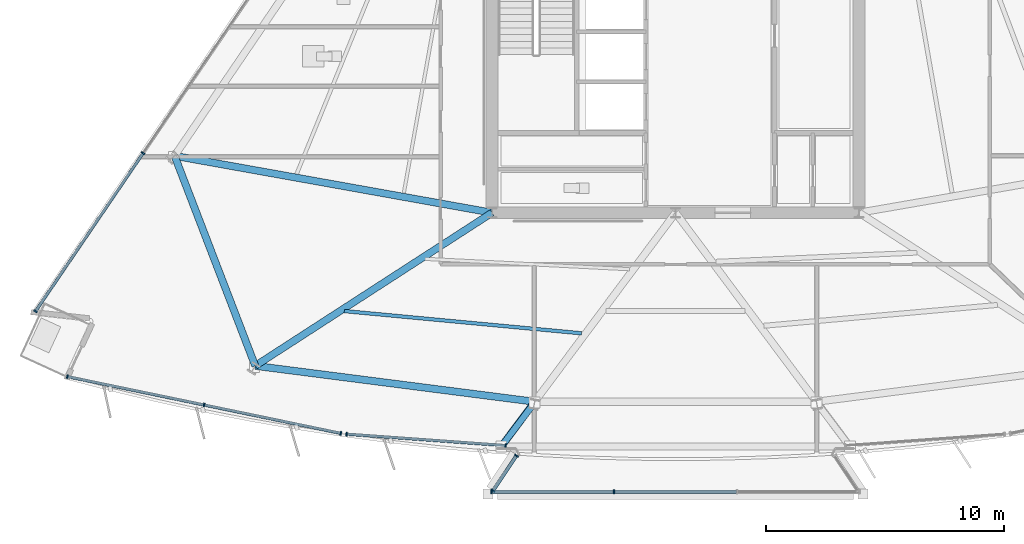
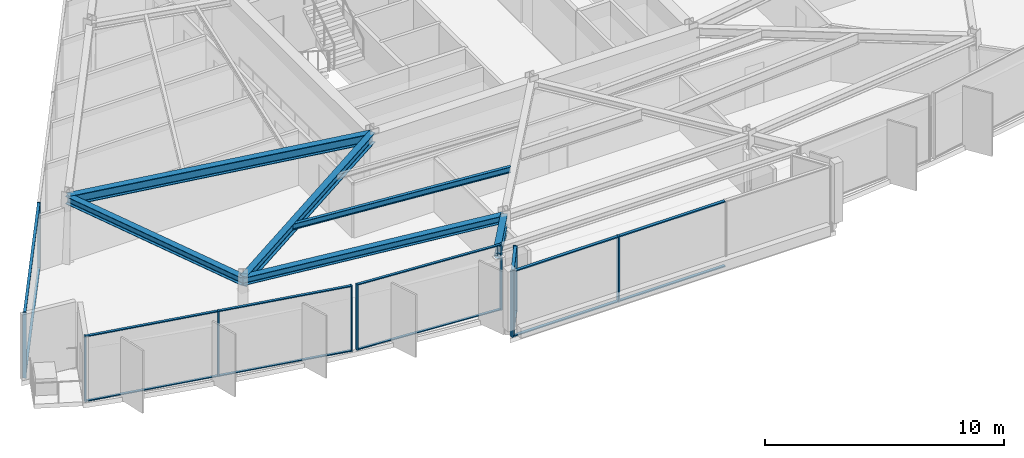
# One storey, part 2 of 16: 26 members, 6 beams, 5 elements without a shape of their own.
"""IFC4 building model written with IfcOpenShell, lengths in metres."""

from ifc_helpers import new_model, si_unit, direction, frame, origin, origin_2d, place, context, subcontext, project, spatial, rectangle, hollow_circle, i_section, extrude, material, material_profile, profile_set, type_object, element, aggregate, save


model = new_model("IFC4")

# Units and contexts
model_context = context("Model", 3, precision=1e-05, world=origin(), true_north=direction((0.0, 1.0)))
body_context = subcontext(model_context, "Body", "Model", "MODEL_VIEW")
ifc_project = project(units=[si_unit("LENGTHUNIT", "METRE"), si_unit("AREAUNIT", "SQUARE_METRE"), si_unit("VOLUMEUNIT", "CUBIC_METRE"), si_unit("PLANEANGLEUNIT", "RADIAN"), si_unit("MASSUNIT", "GRAM", prefix="KILO")], contexts=[model_context])

# Site, building, storey
site_placement = place(None, origin())
site = spatial("IfcSite", under=ifc_project, at=site_placement, CompositionType="ELEMENT")
building_placement = place(site_placement, origin())
building = spatial("IfcBuilding", under=site, at=building_placement, Name="Savorim Split Tower", CompositionType="ELEMENT")
storey_placement = place(building_placement, frame((0.0, 0.0, 160.199951171875)))
storey = spatial("IfcBuildingStorey", under=building, at=storey_placement, Name="L42", CompositionType="ELEMENT", Elevation=160.199951171875)

# Beams
ifc_material_1 = material(Name="Steel S355", Category="steel")
ifc_material_profile_1 = material_profile(ifc_material_1, i_section(OverallWidth=0.14990234375, OverallDepth=0.300048828125, WebThickness=0.007080078125, FlangeThickness=0.0107421875, FilletRadius=0.014892578125, at=origin_2d()), Name="IPE 300")
ifc_profile_set_1 = profile_set([ifc_material_profile_1], Name="Steel S355")
beam_type_1 = type_object("IfcBeamType", Name="BM-JST-IPE300", PredefinedType="JOIST", material=ifc_profile_set_1)
beam_1_placement = place(storey_placement, frame((-13.900146484375, -13.527587890625, 3.199951171875), z_axis=(0.995631460831, -0.093370199762, 0.0), x_axis=(0.093370199762, 0.995631460831, 0.0)))
element("IfcBeam", 1, at=beam_1_placement, inside=storey, type_object=beam_type_1, Name="L42 Secondary Floor Joist JS-01", PredefinedType="JOIST", context=body_context, shape_type="SweptSolid", body=[
    extrude(i_section(OverallWidth=0.14990234375, OverallDepth=0.300048828125, WebThickness=0.007080078125, FlangeThickness=0.0107421875, FilletRadius=0.014892578125, at=origin_2d()), origin(), (0.0, 0.0, 1.0), 10.00146484375),
])
ifc_material_profile_2 = material_profile(ifc_material_1, i_section(OverallWidth=0.300048828125, OverallDepth=0.5, WebThickness=0.014404296875, FlangeThickness=0.028076171875, FilletRadius=0.027099609375, at=origin_2d()), Name="HEB 500")
ifc_profile_set_2 = profile_set([ifc_material_profile_2], Name="Steel S355")
beam_type_2 = type_object("IfcBeamType", Name="BM-PRI-HEB500", PredefinedType="BEAM", material=ifc_profile_set_2)
beam_2_placement = place(storey_placement, frame((-17.63671875, -15.826416015625, 3.10009765625), z_axis=(0.839691907768, 0.54306307187, 0.0), x_axis=(-0.54306307187, 0.839691907768, 0.0)))
element("IfcBeam", 2, at=beam_2_placement, inside=storey, type_object=beam_type_2, Name="L42 Primary Floor Girder RG-01", PredefinedType="BEAM", context=body_context, shape_type="SweptSolid", body=[
    extrude(i_section(OverallWidth=0.300048828125, OverallDepth=0.5, WebThickness=0.014404296875, FlangeThickness=0.028076171875, FilletRadius=0.027099609375, at=origin_2d()), origin(), (0.0, 0.0, 1.0), 11.833740234375),
])
beam_3_placement = place(storey_placement, frame((-21.021728515625, -7.013916015625, 3.10009765625), z_axis=(0.984336689971, -0.176298839407, 0.0), x_axis=(0.176298839407, 0.984336689971, 0.0)))
element("IfcBeam", 3, at=beam_3_placement, inside=storey, type_object=beam_type_2, Name="L42 Primary Floor Girder RG-10", PredefinedType="BEAM", context=body_context, shape_type="SweptSolid", body=[
    extrude(i_section(OverallWidth=0.300048828125, OverallDepth=0.5, WebThickness=0.014404296875, FlangeThickness=0.028076171875, FilletRadius=0.027099609375, at=origin_2d()), origin(), (0.0, 0.0, 1.0), 13.53369140625),
])
ifc_material_profile_3 = material_profile(ifc_material_1, i_section(OverallWidth=0.300048828125, OverallDepth=0.550048828125, WebThickness=0.014892578125, FlangeThickness=0.029052734375, FilletRadius=0.027099609375, at=origin_2d()), Name="HEB 550")
ifc_profile_set_3 = profile_set([ifc_material_profile_3], Name="Steel S355")
beam_type_3 = type_object("IfcBeamType", Name="BM-PRI-HEB550", PredefinedType="BEAM", material=ifc_profile_set_3)
beam_4_placement = place(storey_placement, frame((-5.910888671875, -17.331787109375, 3.074951171875), z_axis=(-0.597570388706, -0.801816456891, 0.0), x_axis=(0.801816456891, -0.597570388706, 0.0)))
element("IfcBeam", 4, at=beam_4_placement, inside=storey, type_object=beam_type_3, Name="L42 Cantilevered Lounge Rib 1", PredefinedType="BEAM", context=body_context, shape_type="SweptSolid", body=[
    extrude(i_section(OverallWidth=0.300048828125, OverallDepth=0.550048828125, WebThickness=0.014892578125, FlangeThickness=0.029052734375, FilletRadius=0.027099609375, at=origin_2d()), origin(), (0.0, 0.0, 1.0), 2.35009765625),
])
ifc_material_profile_4 = material_profile(ifc_material_1, i_section(OverallWidth=0.300048828125, OverallDepth=0.389892578125, WebThickness=0.010986328125, FlangeThickness=0.01904296875, FilletRadius=0.027099609375, at=origin_2d()), Name="HEA 400")
ifc_profile_set_4 = profile_set([ifc_material_profile_4], Name="Steel S355")
beam_type_4 = type_object("IfcBeamType", Name="BM-SPN-HEA400", PredefinedType="SPANDREL", material=ifc_profile_set_4)
beam_5_placement = place(storey_placement, frame((-17.63671875, -15.826416015625, 3.155029296875), z_axis=(0.991859676182, -0.127335708912, 0.0), x_axis=(0.127335708912, 0.991859676182, 0.0)))
element("IfcBeam", 5, at=beam_5_placement, inside=storey, type_object=beam_type_4, Name="L42 Perimeter Spandrel Beam 1", PredefinedType="SPANDREL", context=body_context, shape_type="SweptSolid", body=[
    extrude(i_section(OverallWidth=0.300048828125, OverallDepth=0.389892578125, WebThickness=0.010986328125, FlangeThickness=0.01904296875, FilletRadius=0.027099609375, at=origin_2d()), origin(), (0.0, 0.0, 1.0), 11.822021484375),
])
beam_6_placement = place(storey_placement, frame((-21.021728515625, -7.013916015625, 3.155029296875), z_axis=(0.358571790787, -0.933502153641, 0.0), x_axis=(0.933502153641, 0.358571790787, 0.0)))
element("IfcBeam", 6, at=beam_6_placement, inside=storey, type_object=beam_type_4, Name="L42 Perimeter Spandrel Beam 10", PredefinedType="SPANDREL", context=body_context, shape_type="SweptSolid", body=[
    extrude(i_section(OverallWidth=0.300048828125, OverallDepth=0.389892578125, WebThickness=0.010986328125, FlangeThickness=0.01904296875, FilletRadius=0.027099609375, at=origin_2d()), origin(), (0.0, 0.0, 1.0), 9.440185546875),
])

# Curtain wall, members
ifc_material_2 = material(Name="Dark Ceramic-Fritted Insulated Glass", Category="glass")
curtain_wall_type_1 = type_object("IfcCurtainWallType", Name="CW-TWR-FRIT-B", PredefinedType="NOTDEFINED", material=ifc_material_2)
curtain_wall_1_placement = place(storey_placement, origin())
curtain_wall_1 = element("IfcCurtainWall", 7, at=curtain_wall_1_placement, inside=storey, type_object=curtain_wall_type_1, Name="L42 Curtain Wall CW-L42-SF1A", PredefinedType="NOTDEFINED")
ifc_material_3 = material(Name="Charcoal Anodised Aluminium", Category="aluminium")
ifc_material_profile_5 = material_profile(ifc_material_3, rectangle(XDim=0.159912109375, YDim=0.06005859375, at=origin_2d()), Name="ALU-M 160x60")
ifc_profile_set_5 = profile_set([ifc_material_profile_5], Name="Charcoal Anodised Aluminium")
member_type_1 = type_object("IfcMemberType", Name="CWM-160x60", PredefinedType="MULLION", material=ifc_profile_set_5)
member_1_placement = place(storey_placement, frame((-25.52197265625, -16.275390625, 0.0), z_axis=(0.0, 0.0, 1.0), x_axis=(0.20321231183, 0.979134697741, 0.0)))
member_1 = element("IfcMember", 8, at=member_1_placement, type_object=member_type_1, Name="CW-03 mullion 1", PredefinedType="MULLION", context=body_context, shape_type="SweptSolid", body=[
    extrude(rectangle(XDim=0.159912109375, YDim=0.06005859375, at=origin_2d()), origin(), (0.0, 0.0, 1.0), 3.35009765625),
])
member_2_placement = place(storey_placement, frame((-19.782958984375, -17.46630859375, 0.0), z_axis=(0.0, 0.0, 1.0), x_axis=(0.20321231183, 0.979134697741, 0.0)))
member_2 = element("IfcMember", 9, at=member_2_placement, type_object=member_type_1, Name="CW-03 mullion 2", PredefinedType="MULLION", context=body_context, shape_type="SweptSolid", body=[
    extrude(rectangle(XDim=0.159912109375, YDim=0.06005859375, at=origin_2d()), origin(), (0.0, 0.0, 1.0), 3.35009765625),
])
member_3_placement = place(storey_placement, frame((-14.043701171875, -18.657470703125, 0.0), z_axis=(0.0, 0.0, 1.0), x_axis=(0.20321231183, 0.979134697741, 0.0)))
member_3 = element("IfcMember", 10, at=member_3_placement, type_object=member_type_1, Name="CW-03 mullion 3", PredefinedType="MULLION", context=body_context, shape_type="SweptSolid", body=[
    extrude(rectangle(XDim=0.159912109375, YDim=0.06005859375, at=origin_2d()), origin(), (0.0, 0.0, 1.0), 3.35009765625),
])

curtain_wall_2_placement = place(storey_placement, origin())
curtain_wall_2 = element("IfcCurtainWall", 11, at=curtain_wall_2_placement, inside=storey, type_object=curtain_wall_type_1, Name="L42 Curtain Wall CW-L42-SF2A", PredefinedType="NOTDEFINED")
member_4_placement = place(storey_placement, frame((-13.802734375, -18.691162109375, 0.0), z_axis=(0.0, 0.0, 1.0), x_axis=(0.071553283467, 0.997436778761, 0.0)))
member_4 = element("IfcMember", 12, at=member_4_placement, type_object=member_type_1, Name="CW-03 mullion 1", PredefinedType="MULLION", context=body_context, shape_type="SweptSolid", body=[
    extrude(rectangle(XDim=0.159912109375, YDim=0.06005859375, at=origin_2d()), origin(), (0.0, 0.0, 1.0), 3.35009765625),
])
member_5_placement = place(storey_placement, frame((-7.126708984375, -19.169921875, 0.0), z_axis=(0.0, 0.0, 1.0), x_axis=(0.071553283467, 0.997436778761, 0.0)))
member_5 = element("IfcMember", 13, at=member_5_placement, type_object=member_type_1, Name="CW-03 mullion 2", PredefinedType="MULLION", context=body_context, shape_type="SweptSolid", body=[
    extrude(rectangle(XDim=0.159912109375, YDim=0.06005859375, at=origin_2d()), origin(), (0.0, 0.0, 1.0), 3.35009765625),
])

curtain_wall_3_placement = place(storey_placement, origin())
curtain_wall_3 = element("IfcCurtainWall", 14, at=curtain_wall_3_placement, inside=storey, type_object=curtain_wall_type_1, Name="L42 Curtain Wall CW-L42-WEST", PredefinedType="NOTDEFINED")
member_6_placement = place(storey_placement, frame((-22.343505859375, -6.900634765625, 0.0), z_axis=(0.0, 0.0, 1.0), x_axis=(0.826820104662, -0.562466456356, 0.0)))
member_6 = element("IfcMember", 15, at=member_6_placement, type_object=member_type_1, Name="CW-03 mullion 4", PredefinedType="MULLION", context=body_context, shape_type="SweptSolid", body=[
    extrude(rectangle(XDim=0.159912109375, YDim=0.06005859375, at=origin_2d()), origin(), (0.0, 0.0, 1.0), 3.35009765625),
])
member_7_placement = place(storey_placement, frame((-26.857666015625, -13.536376953125, 0.0), z_axis=(0.0, 0.0, 1.0), x_axis=(0.826820104662, -0.562466456356, 0.0)))
member_7 = element("IfcMember", 16, at=member_7_placement, type_object=member_type_1, Name="CW-03 mullion 5", PredefinedType="MULLION", context=body_context, shape_type="SweptSolid", body=[
    extrude(rectangle(XDim=0.159912109375, YDim=0.06005859375, at=origin_2d()), origin(), (0.0, 0.0, 1.0), 3.35009765625),
])

curtain_wall_type_2 = type_object("IfcCurtainWallType", Name="CW-BAY-LOUNGE", PredefinedType="NOTDEFINED", material=ifc_material_2)
curtain_wall_4_placement = place(storey_placement, origin())
curtain_wall_4 = element("IfcCurtainWall", 17, at=curtain_wall_4_placement, inside=storey, type_object=curtain_wall_type_2, Name="L42 Curtain Wall CW-L42-BAYF", PredefinedType="NOTDEFINED")
ifc_material_profile_6 = material_profile(ifc_material_3, rectangle(XDim=0.179931640625, YDim=0.06494140625, at=origin_2d()), Name="ALU-M 180x65")
ifc_profile_set_6 = profile_set([ifc_material_profile_6], Name="Charcoal Anodised Aluminium")
member_type_2 = type_object("IfcMemberType", Name="CWM-180x65", PredefinedType="MULLION", material=ifc_profile_set_6)
member_8_placement = place(storey_placement, frame((-7.720703125, -21.10888671875, 0.0), z_axis=(0.0, 0.0, 1.0), x_axis=(0.0, 1.0, 0.0)))
member_8 = element("IfcMember", 18, at=member_8_placement, type_object=member_type_2, Name="CW-04 mullion 1", PredefinedType="MULLION", context=body_context, shape_type="SweptSolid", body=[
    extrude(rectangle(XDim=0.179931640625, YDim=0.06494140625, at=origin_2d()), origin(), (0.0, 0.0, 1.0), 3.35009765625),
])
member_9_placement = place(storey_placement, frame((-2.58447265625, -21.10888671875, 0.0), z_axis=(0.0, 0.0, 1.0), x_axis=(0.0, 1.0, 0.0)))
member_9 = element("IfcMember", 19, at=member_9_placement, type_object=member_type_2, Name="CW-04 mullion 2", PredefinedType="MULLION", context=body_context, shape_type="SweptSolid", body=[
    extrude(rectangle(XDim=0.179931640625, YDim=0.06494140625, at=origin_2d()), origin(), (0.0, 0.0, 1.0), 3.35009765625),
])

curtain_wall_5_placement = place(storey_placement, origin())
curtain_wall_5 = element("IfcCurtainWall", 20, at=curtain_wall_5_placement, inside=storey, type_object=curtain_wall_type_2, Name="L42 Curtain Wall CW-L42-BAYW", PredefinedType="NOTDEFINED")
member_10_placement = place(storey_placement, frame((-6.67626953125, -19.593994140625, 0.0), z_axis=(0.0, 0.0, 1.0), x_axis=(0.832041910275, -0.554712772113, 0.0)))
member_10 = element("IfcMember", 21, at=member_10_placement, type_object=member_type_2, Name="CW-04 mullion 1", PredefinedType="MULLION", context=body_context, shape_type="SweptSolid", body=[
    extrude(rectangle(XDim=0.179931640625, YDim=0.06494140625, at=origin_2d()), origin(), (0.0, 0.0, 1.0), 3.35009765625),
])
member_11_placement = place(storey_placement, frame((-7.658203125, -21.066650390625, 0.0), z_axis=(0.0, 0.0, 1.0), x_axis=(0.832041910275, -0.554712772113, 0.0)))
member_11 = element("IfcMember", 22, at=member_11_placement, type_object=member_type_2, Name="CW-04 mullion 2", PredefinedType="MULLION", context=body_context, shape_type="SweptSolid", body=[
    extrude(rectangle(XDim=0.179931640625, YDim=0.06494140625, at=origin_2d()), origin(), (0.0, 0.0, 1.0), 3.35009765625),
])

# Member
ifc_material_profile_7 = material_profile(ifc_material_3, rectangle(XDim=0.1201171875, YDim=0.050048828125, at=origin_2d()), Name="ALU-T 120x50")
ifc_profile_set_7 = profile_set([ifc_material_profile_7], Name="Charcoal Anodised Aluminium")
member_type_3 = type_object("IfcMemberType", Name="CWT-120x50", PredefinedType="USERDEFINED", material=ifc_profile_set_7)
member_12_placement = place(storey_placement, frame((-25.492431640625, -16.281494140625, 0.025146484375), z_axis=(0.979140472811, -0.203184483914, 0.0), x_axis=(0.203184483914, 0.979140472811, 0.0)))
member_12 = element("IfcMember", 23, at=member_12_placement, type_object=member_type_3, Name="CW-03 transom 1.1", ObjectType="TRANSOM", PredefinedType="USERDEFINED", context=body_context, shape_type="SweptSolid", body=[
    extrude(rectangle(XDim=0.1201171875, YDim=0.050048828125, at=origin_2d()), origin(), (0.0, 0.0, 1.0), 5.80126953125),
])

member_13_placement = place(storey_placement, frame((-25.492431640625, -16.281494140625, 3.324951171875), z_axis=(0.979140472811, -0.203184483914, 0.0), x_axis=(0.203184483914, 0.979140472811, 0.0)))
member_13 = element("IfcMember", 24, at=member_13_placement, type_object=member_type_3, Name="CW-03 transom 1.2", ObjectType="TRANSOM", PredefinedType="USERDEFINED", context=body_context, shape_type="SweptSolid", body=[
    extrude(rectangle(XDim=0.1201171875, YDim=0.050048828125, at=origin_2d()), origin(), (0.0, 0.0, 1.0), 5.80126953125),
])

member_14_placement = place(storey_placement, frame((-19.75341796875, -17.472412109375, 0.025146484375), z_axis=(0.979132099481, -0.203224830585, 0.0), x_axis=(0.203224830585, 0.979132099481, 0.0)))
member_14 = element("IfcMember", 25, at=member_14_placement, type_object=member_type_3, Name="CW-03 transom 2.1", ObjectType="TRANSOM", PredefinedType="USERDEFINED", context=body_context, shape_type="SweptSolid", body=[
    extrude(rectangle(XDim=0.1201171875, YDim=0.050048828125, at=origin_2d()), origin(), (0.0, 0.0, 1.0), 5.80126953125),
])

member_15_placement = place(storey_placement, frame((-19.75341796875, -17.472412109375, 3.324951171875), z_axis=(0.979132099481, -0.203224830585, 0.0), x_axis=(0.203224830585, 0.979132099481, 0.0)))
member_15 = element("IfcMember", 26, at=member_15_placement, type_object=member_type_3, Name="CW-03 transom 2.2", ObjectType="TRANSOM", PredefinedType="USERDEFINED", context=body_context, shape_type="SweptSolid", body=[
    extrude(rectangle(XDim=0.1201171875, YDim=0.050048828125, at=origin_2d()), origin(), (0.0, 0.0, 1.0), 5.80126953125),
])

aggregate(curtain_wall_1, [member_1, member_2, member_3, member_12, member_13, member_14, member_15])

member_16_placement = place(storey_placement, frame((-13.772705078125, -18.693115234375, 0.025146484375), z_axis=(0.9974367928, -0.07155308776, 0.0), x_axis=(0.07155308776, 0.9974367928, 0.0)))
member_16 = element("IfcMember", 27, at=member_16_placement, type_object=member_type_3, Name="CW-03 transom 1.1", ObjectType="TRANSOM", PredefinedType="USERDEFINED", context=body_context, shape_type="SweptSolid", body=[
    extrude(rectangle(XDim=0.1201171875, YDim=0.050048828125, at=origin_2d()), origin(), (0.0, 0.0, 1.0), 6.633056640625),
])

member_17_placement = place(storey_placement, frame((-13.772705078125, -18.693115234375, 3.324951171875), z_axis=(0.9974367928, -0.07155308776, 0.0), x_axis=(0.07155308776, 0.9974367928, 0.0)))
member_17 = element("IfcMember", 28, at=member_17_placement, type_object=member_type_3, Name="CW-03 transom 1.2", ObjectType="TRANSOM", PredefinedType="USERDEFINED", context=body_context, shape_type="SweptSolid", body=[
    extrude(rectangle(XDim=0.1201171875, YDim=0.050048828125, at=origin_2d()), origin(), (0.0, 0.0, 1.0), 6.633056640625),
])

aggregate(curtain_wall_2, [member_4, member_5, member_16, member_17])

member_18_placement = place(storey_placement, frame((-22.3603515625, -6.925537109375, 0.025146484375), z_axis=(-0.562484383904, -0.826807908685, 0.0), x_axis=(0.826807908685, -0.562484383904, 0.0)))
member_18 = element("IfcMember", 29, at=member_18_placement, type_object=member_type_3, Name="CW-03 transom 4.1", ObjectType="TRANSOM", PredefinedType="USERDEFINED", context=body_context, shape_type="SweptSolid", body=[
    extrude(rectangle(XDim=0.1201171875, YDim=0.050048828125, at=origin_2d()), origin(), (0.0, 0.0, 1.0), 7.965576171875),
])

member_19_placement = place(storey_placement, frame((-22.3603515625, -6.925537109375, 3.324951171875), z_axis=(-0.562484383904, -0.826807908685, 0.0), x_axis=(0.826807908685, -0.562484383904, 0.0)))
member_19 = element("IfcMember", 30, at=member_19_placement, type_object=member_type_3, Name="CW-03 transom 4.2", ObjectType="TRANSOM", PredefinedType="USERDEFINED", context=body_context, shape_type="SweptSolid", body=[
    extrude(rectangle(XDim=0.1201171875, YDim=0.050048828125, at=origin_2d()), origin(), (0.0, 0.0, 1.0), 7.965576171875),
])

aggregate(curtain_wall_3, [member_6, member_7, member_18, member_19])

ifc_material_profile_8 = material_profile(ifc_material_3, rectangle(XDim=0.139892578125, YDim=0.054931640625, at=origin_2d()), Name="ALU-T 140x55")
ifc_profile_set_8 = profile_set([ifc_material_profile_8], Name="Charcoal Anodised Aluminium")
member_type_4 = type_object("IfcMemberType", Name="CWT-140x55", PredefinedType="USERDEFINED", material=ifc_profile_set_8)
member_20_placement = place(storey_placement, frame((-7.68798828125, -21.10888671875, 0.027587890625), z_axis=(1.0, 0.0, 0.0), x_axis=(0.0, 1.0, 0.0)))
member_20 = element("IfcMember", 31, at=member_20_placement, type_object=member_type_4, Name="CW-04 transom 1.1", ObjectType="TRANSOM", PredefinedType="USERDEFINED", context=body_context, shape_type="SweptSolid", body=[
    extrude(rectangle(XDim=0.139892578125, YDim=0.054931640625, at=origin_2d()), origin(), (0.0, 0.0, 1.0), 5.071044921875),
])

member_21_placement = place(storey_placement, frame((-7.68798828125, -21.10888671875, 3.322509765625), z_axis=(1.0, 0.0, 0.0), x_axis=(0.0, 1.0, 0.0)))
member_21 = element("IfcMember", 32, at=member_21_placement, type_object=member_type_4, Name="CW-04 transom 1.2", ObjectType="TRANSOM", PredefinedType="USERDEFINED", context=body_context, shape_type="SweptSolid", body=[
    extrude(rectangle(XDim=0.139892578125, YDim=0.054931640625, at=origin_2d()), origin(), (0.0, 0.0, 1.0), 5.071044921875),
])

member_22_placement = place(storey_placement, frame((-2.5517578125, -21.10888671875, 0.027587890625), z_axis=(1.0, 0.0, 0.0), x_axis=(0.0, 1.0, 0.0)))
member_22 = element("IfcMember", 33, at=member_22_placement, type_object=member_type_4, Name="CW-04 transom 2.1", ObjectType="TRANSOM", PredefinedType="USERDEFINED", context=body_context, shape_type="SweptSolid", body=[
    extrude(rectangle(XDim=0.139892578125, YDim=0.054931640625, at=origin_2d()), origin(), (0.0, 0.0, 1.0), 5.103515625),
])

member_23_placement = place(storey_placement, frame((-2.5517578125, -21.10888671875, 3.322509765625), z_axis=(1.0, 0.0, 0.0), x_axis=(0.0, 1.0, 0.0)))
member_23 = element("IfcMember", 34, at=member_23_placement, type_object=member_type_4, Name="CW-04 transom 2.2", ObjectType="TRANSOM", PredefinedType="USERDEFINED", context=body_context, shape_type="SweptSolid", body=[
    extrude(rectangle(XDim=0.139892578125, YDim=0.054931640625, at=origin_2d()), origin(), (0.0, 0.0, 1.0), 5.103515625),
])

aggregate(curtain_wall_4, [member_8, member_9, member_20, member_21, member_22, member_23])

member_24_placement = place(storey_placement, frame((-6.6943359375, -19.62109375, 0.027587890625), z_axis=(-0.554700196225, -0.832050294338, 0.0), x_axis=(0.832050294338, -0.554700196225, 0.0)))
member_24 = element("IfcMember", 35, at=member_24_placement, type_object=member_type_4, Name="CW-04 transom 1.1", ObjectType="TRANSOM", PredefinedType="USERDEFINED", context=body_context, shape_type="SweptSolid", body=[
    extrude(rectangle(XDim=0.139892578125, YDim=0.054931640625, at=origin_2d()), origin(), (0.0, 0.0, 1.0), 1.705078125),
])

member_25_placement = place(storey_placement, frame((-6.6943359375, -19.62109375, 3.322509765625), z_axis=(-0.554700196225, -0.832050294338, 0.0), x_axis=(0.832050294338, -0.554700196225, 0.0)))
member_25 = element("IfcMember", 36, at=member_25_placement, type_object=member_type_4, Name="CW-04 transom 1.2", ObjectType="TRANSOM", PredefinedType="USERDEFINED", context=body_context, shape_type="SweptSolid", body=[
    extrude(rectangle(XDim=0.139892578125, YDim=0.054931640625, at=origin_2d()), origin(), (0.0, 0.0, 1.0), 1.705078125),
])

aggregate(curtain_wall_5, [member_10, member_11, member_24, member_25])

ifc_material_profile_9 = material_profile(ifc_material_1, hollow_circle(Radius=0.136474609375, WallThickness=0.01611328125, at=origin_2d()), Name="CHS 273x16")
ifc_profile_set_9 = profile_set([ifc_material_profile_9], Name="Steel S355")
member_type_5 = type_object("IfcMemberType", Name="MBR-CRN-CHS273", PredefinedType="BRACE", material=ifc_profile_set_9)
member_26_placement = place(storey_placement, frame((-5.9189453125, -17.372314453125, 2.449951171875), z_axis=(-0.596124123007, -0.787188210693, 0.15802136221), x_axis=(0.797204532668, -0.603709311749, 0.0)))
element("IfcMember", 37, at=member_26_placement, inside=storey, type_object=member_type_5, Name="L42 Cantilevered Bay Support Strut 1", PredefinedType="BRACE", context=body_context, shape_type="SweptSolid", body=[
    extrude(hollow_circle(Radius=0.136474609375, WallThickness=0.01611328125, at=origin_2d()), origin(), (0.0, 0.0, 1.0), 2.34228515625),
])

save(model, "model.ifc")
